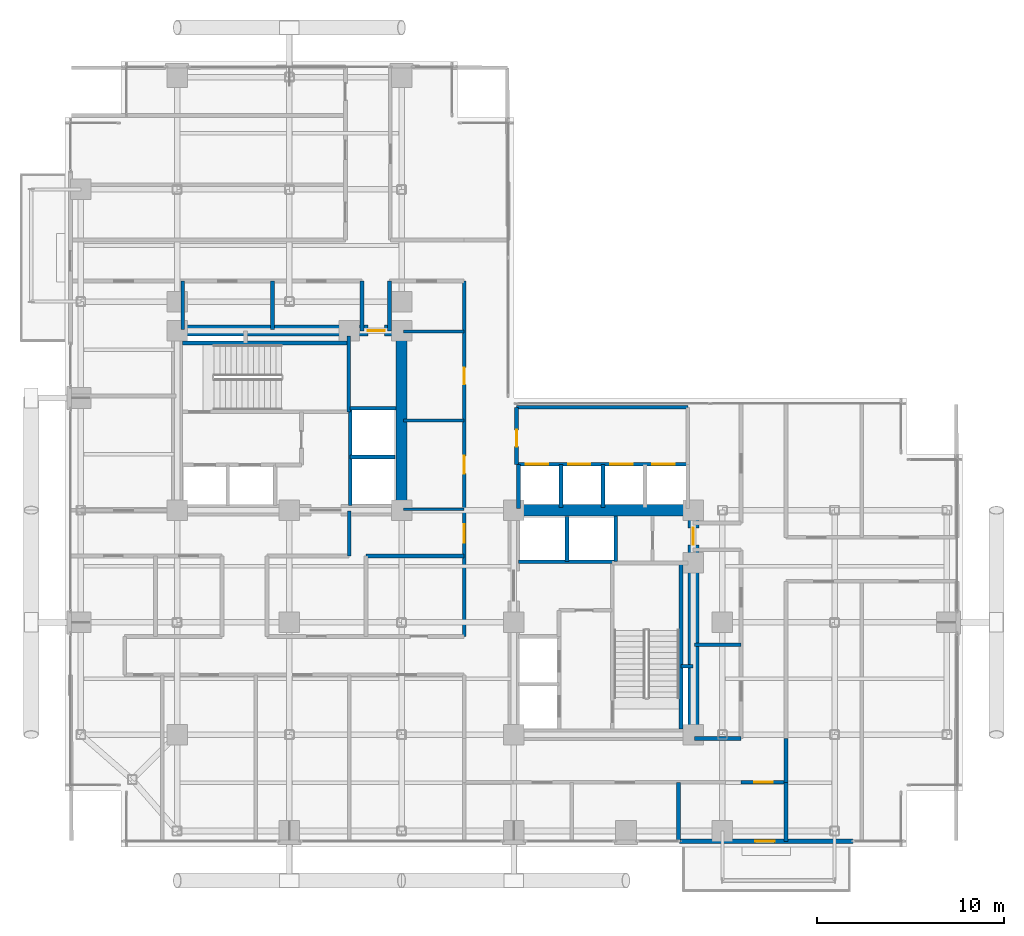
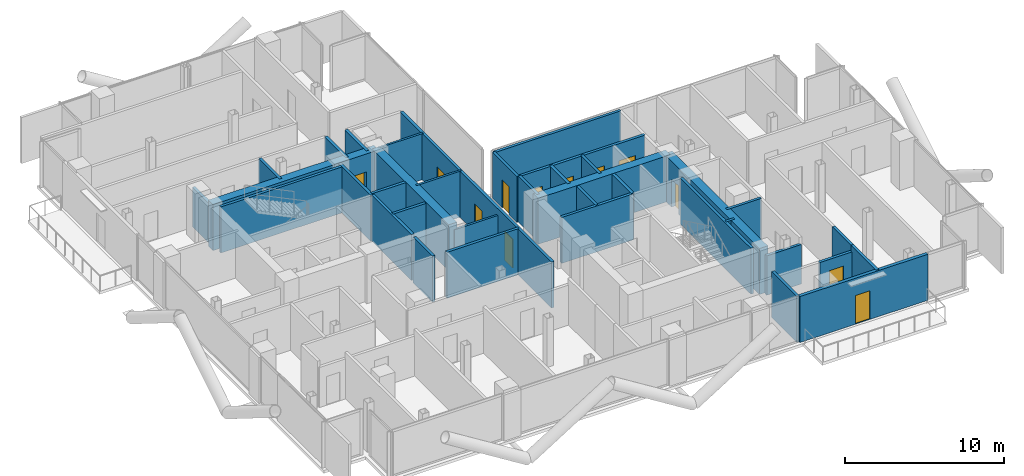
# One storey, part 23 of 28: 37 walls, 12 doors, 12 openings.
"""IFC4 building model written with IfcOpenShell, lengths in metres."""

from ifc_helpers import new_model, si_unit, direction, frame, frame_2d, origin, place, context, subcontext, project, spatial, rectangle, extrude, material, layer, layer_set, type_object, element, fill, save


model = new_model("IFC4")

# Units and contexts
model_context = context("Model", 3, precision=1e-05, world=origin(), true_north=direction((0.0, 1.0)))
body_context = subcontext(model_context, "Body", "Model", "MODEL_VIEW")
ifc_project = project(units=[si_unit("LENGTHUNIT", "METRE"), si_unit("AREAUNIT", "SQUARE_METRE"), si_unit("VOLUMEUNIT", "CUBIC_METRE"), si_unit("PLANEANGLEUNIT", "RADIAN"), si_unit("MASSUNIT", "GRAM", prefix="KILO"), si_unit("THERMODYNAMICTEMPERATUREUNIT", "KELVIN"), si_unit("POWERUNIT", "WATT")], contexts=[model_context])

# Site, building, storey
site_placement = place(None, origin())
site = spatial("IfcSite", under=ifc_project, at=site_placement, CompositionType="ELEMENT")
building_placement = place(site_placement, origin())
building = spatial("IfcBuilding", under=site, at=building_placement, Name="Svarakhadi Broadcast Tower", CompositionType="ELEMENT")
storey_placement = place(building_placement, frame((0.0, 0.0, 123.14990234375)))
storey = spatial("IfcBuildingStorey", under=building, at=storey_placement, Name="L29", CompositionType="ELEMENT", Elevation=123.14990234375)

# Walls
ifc_material_1 = material(Name="Double-Stud Acoustic Studio Partition STC-62", Category="gypsum")
ifc_layer_1 = layer(ifc_material_1, 0.199951171875)
ifc_layer_set_1 = layer_set([ifc_layer_1], Name="Double-Stud Acoustic Studio Partition STC-62")
wall_type_1 = type_object("IfcWallType", Name="Wall_Acoust_200", PredefinedType="PARTITIONING", material=ifc_layer_set_1)
wall_1_placement = place(storey_placement, frame((16.10009765625, 15.550048828125, 0.0), z_axis=(0.0, 0.0, 1.0), x_axis=(1.0, 0.0, 0.0)))
element("IfcWall", 1, at=wall_1_placement, inside=storey, type_object=wall_type_1, Name="L29 Accessible Floor Washroom WC Wall", PredefinedType="PARTITIONING", context=body_context, shape_type="SweptSolid", body=[
    extrude(rectangle(XDim=5.25, YDim=0.199951171875, at=frame_2d((2.625, 0.0))), origin(), (0.0, 0.0, 1.0), 3.525146484375),
])
for number, where, z_axis, x_axis, name in (
    (2, (32.800048828125, 0.300048828125, 0.0), (0.0, 0.0, 1.0), (0.0, 1.0, 0.0), "L29 Client Preview Briefing Room Wall"),
    (3, (38.550048828125, 0.300048828125, 0.0), (0.0, 0.0, 1.0), (0.0, 1.0, 0.0), "L29 Artisanal Espresso Bar Wall"),
):
    element("IfcWall", number, at=place(storey_placement, frame(where, z_axis=z_axis, x_axis=x_axis)), inside=storey, type_object=wall_type_1, Name=name, PredefinedType="PARTITIONING", context=body_context, shape_type="SweptSolid", body=[
        extrude(rectangle(XDim=3.14990234375, YDim=0.199951171875, at=frame_2d((1.574951171875, 0.0))), origin(), (0.0, 0.0, 1.0), 3.525146484375),
    ])
wall_2_placement = place(storey_placement, frame((6.300048828125, 27.64990234375, 0.0), z_axis=(0.0, 0.0, 1.0), x_axis=(0.0, 1.0, 0.0)))
element("IfcWall", 4, at=wall_2_placement, inside=storey, type_object=wall_type_1, Name="L29 Acoustic Dubbing Booth Wall", PredefinedType="PARTITIONING", context=body_context, shape_type="SweptSolid", body=[
    extrude(rectangle(XDim=2.60009765625, YDim=0.199951171875, at=frame_2d((1.300048828125, 0.0))), origin(), (0.0, 0.0, 1.0), 3.01708984375),
])
wall_3_placement = place(storey_placement, frame((11.10009765625, 27.64990234375, 0.0), z_axis=(0.0, 0.0, 1.0), x_axis=(0.0, 1.0, 0.0)))
element("IfcWall", 5, at=wall_3_placement, inside=storey, type_object=wall_type_1, Name="L29 Acoustic Dubbing Booth Wall", PredefinedType="PARTITIONING", context=body_context, shape_type="SweptSolid", body=[
    extrude(rectangle(XDim=2.60009765625, YDim=0.199951171875, at=frame_2d((1.300048828125, 0.0))), origin(), (0.0, 0.0, 1.0), 3.525146484375),
])
wall_4_placement = place(storey_placement, frame((33.64990234375, 5.800048828125, 0.0), z_axis=(0.0, 0.0, 1.0), x_axis=(1.0, 0.0, 0.0)))
element("IfcWall", 6, at=wall_4_placement, inside=storey, type_object=wall_type_1, Name="L29 Media Playout Monitoring Office Wall", PredefinedType="PARTITIONING", context=body_context, shape_type="SweptSolid", body=[
    extrude(rectangle(XDim=2.5, YDim=0.199951171875, at=frame_2d((1.25, 0.0))), origin(), (0.0, 0.0, 1.0), 3.01708984375),
])
wall_5_placement = place(storey_placement, frame((33.64990234375, 10.800048828125, 0.0), z_axis=(0.0, 0.0, 1.0), x_axis=(1.0, 0.0, 0.0)))
element("IfcWall", 7, at=wall_5_placement, inside=storey, type_object=wall_type_1, Name="L29 Media Playout Monitoring Office Wall", PredefinedType="PARTITIONING", context=body_context, shape_type="SweptSolid", body=[
    extrude(rectangle(XDim=2.5, YDim=0.199951171875, at=frame_2d((1.25, 0.0))), origin(), (0.0, 0.0, 1.0), 3.525146484375),
])

# Wall, opening, door
ifc_material_2 = material(Name="Concrete C40/50 (IS 456 M50)", Category="concrete")
ifc_layer_2 = layer(ifc_material_2, 0.239990234375)
ifc_layer_set_2 = layer_set([ifc_layer_2], Name="Concrete C40/50 (IS 456 M50)")
wall_type_2 = type_object("IfcWallType", Name="Wall_Ext_240", PredefinedType="SOLIDWALL", material=ifc_layer_set_2)
wall_6_placement = place(storey_placement, frame((42.14501953125, 0.300048828125, 0.0), z_axis=(0.0, 0.0, 1.0), x_axis=(-1.0, 0.0, 0.0)))
wall_6 = element("IfcWall", 8, at=wall_6_placement, inside=storey, type_object=wall_type_2, Name="L29 South Tree Balcony Spandrel Wall", PredefinedType="SOLIDWALL", context=body_context, shape_type="SweptSolid", body=[
    extrude(rectangle(XDim=9.2900390625, YDim=0.239990234375, at=frame_2d((4.64501953125, 0.0))), origin(), (0.0, 0.0, 1.0), 3.525146484375),
])
opening_1_placement = place(wall_6_placement, frame((4.199951171875, 0.0, 0.0)))
opening_1 = element("IfcOpeningElement", 9, at=opening_1_placement, cuts=wall_6, Name="Opening ED-05", PredefinedType="OPENING", context=body_context, shape_type="SweptSolid", body=[
    extrude(rectangle(XDim=1.050048828125, YDim=2.199951171875, at=frame_2d((0.52490234375, 1.10009765625))), frame((0.0, 0.1298828125, 0.0), z_axis=(0.0, -1.0, 0.0), x_axis=(1.0, 0.0, 0.0)), (0.0, 0.0, 1.0), 0.260009765625),
])
ifc_material_3 = material(Name="Anodised Bronze Aluminium AA 6063-T6", Category="aluminium")
door_type_1 = type_object("IfcDoorType", Name="Door_Ext_ED05", OperationType="SINGLE_SWING_LEFT", PredefinedType="DOOR", material=ifc_material_3)
door_1_placement = place(opening_1_placement, origin())
door_1 = element("IfcDoor", 10, at=door_1_placement, inside=storey, type_object=door_type_1, Name="L29 South Tree Balcony Door", OperationType="SINGLE_SWING_LEFT", OverallHeight=2.199951171875, OverallWidth=1.050048828125, PredefinedType="DOOR", context=body_context, shape_type="SweptSolid", body=[
    extrude(rectangle(XDim=1.050048828125, YDim=2.199951171875, at=frame_2d((0.52490234375, 1.10009765625))), frame((0.0, 0.02490234375, 0.0), z_axis=(0.0, -1.0, 0.0), x_axis=(1.0, 0.0, 0.0)), (0.0, 0.0, 1.0), 0.050048828125),
])
fill(opening_1, door_1)

# Walls
ifc_layer_3 = layer(ifc_material_2, 0.199951171875)
ifc_layer_set_3 = layer_set([ifc_layer_3], Name="Concrete C40/50 (IS 456 M50)")
wall_type_3 = type_object("IfcWallType", Name="Wall_Fire_200", PredefinedType="SOLIDWALL", material=ifc_layer_set_3)
wall_7_placement = place(storey_placement, frame((32.93994140625, 9.659912109375, 0.0), z_axis=(0.0, 0.0, 1.0), x_axis=(1.0, 0.0, 0.0)))
element("IfcWall", 11, at=wall_7_placement, inside=storey, type_object=wall_type_3, Name="L29 HV Busduct Riser Shaft North Wall", PredefinedType="SOLIDWALL", context=body_context, shape_type="SweptSolid", body=[
    extrude(rectangle(XDim=0.64013671875, YDim=0.199951171875, at=frame_2d((0.320068359375, 0.0))), origin(), (0.0, 0.0, 1.0), 3.525146484375),
])
wall_8_placement = place(storey_placement, frame((38.550048828125, 5.800048828125, 0.0), z_axis=(0.0, 0.0, 1.0), x_axis=(0.0, -1.0, 0.0)))
element("IfcWall", 12, at=wall_8_placement, inside=storey, type_object=wall_type_3, Name="L29 Zone 2/3 Corridor Wall", PredefinedType="SOLIDWALL", context=body_context, shape_type="SweptSolid", body=[
    extrude(rectangle(XDim=2.35009765625, YDim=0.199951171875, at=frame_2d((1.175048828125, 0.0))), origin(), (0.0, 0.0, 1.0), 3.525146484375),
])

# Wall, opening, door
wall_9_placement = place(storey_placement, frame((38.550048828125, 3.449951171875, 0.0), z_axis=(0.0, 0.0, 1.0), x_axis=(-1.0, 0.0, 0.0)))
wall_9 = element("IfcWall", 13, at=wall_9_placement, inside=storey, type_object=wall_type_3, Name="L29 Zone 2/3 Corridor Wall", PredefinedType="SOLIDWALL", context=body_context, shape_type="SweptSolid", body=[
    extrude(rectangle(XDim=2.400146484375, YDim=0.199951171875, at=frame_2d((1.2001953125, 0.0))), origin(), (0.0, 0.0, 1.0), 3.067138671875),
])
opening_2_placement = place(wall_9_placement, frame((0.699951171875, 0.0, 0.0)))
opening_2 = element("IfcOpeningElement", 14, at=opening_2_placement, cuts=wall_9, Name="Opening D-08", PredefinedType="OPENING", context=body_context, shape_type="SweptSolid", body=[
    extrude(rectangle(XDim=1.0, YDim=2.199951171875, at=frame_2d((0.5, 1.10009765625))), frame((0.0, 0.10986328125, 0.0), z_axis=(0.0, -1.0, 0.0), x_axis=(1.0, 0.0, 0.0)), (0.0, 0.0, 1.0), 0.219970703125),
])
ifc_material_4 = material(Name="Solid-Core Teak Veneer Acoustic Timber Leaf", Category="wood")
door_type_2 = type_object("IfcDoorType", Name="Door_Suite_D08", OperationType="SINGLE_SWING_LEFT", PredefinedType="DOOR", material=ifc_material_4)
door_2_placement = place(opening_2_placement, origin())
door_2 = element("IfcDoor", 15, at=door_2_placement, inside=storey, type_object=door_type_2, Name="L29 Artisanal Espresso Bar Door", OperationType="SINGLE_SWING_LEFT", OverallHeight=2.199951171875, OverallWidth=1.0, PredefinedType="DOOR", context=body_context, shape_type="SweptSolid", body=[
    extrude(rectangle(XDim=1.0, YDim=2.199951171875, at=frame_2d((0.5, 1.10009765625))), frame((0.0, 0.02490234375, 0.0), z_axis=(0.0, -1.0, 0.0), x_axis=(1.0, 0.0, 0.0)), (0.0, 0.0, 1.0), 0.050048828125),
])
fill(opening_2, door_2)

# Wall
wall_10_placement = place(storey_placement, frame((15.199951171875, 17.949951171875, 0.0), z_axis=(0.0, 0.0, 1.0), x_axis=(0.0, -1.0, 0.0)))
element("IfcWall", 16, at=wall_10_placement, inside=storey, type_object=wall_type_3, Name="L29 Zone 2/3 Corridor Wall", PredefinedType="SOLIDWALL", context=body_context, shape_type="SweptSolid", body=[
    extrude(rectangle(XDim=2.39990234375, YDim=0.199951171875, at=frame_2d((1.199951171875, 0.0))), origin(), (0.0, 0.0, 1.0), 3.525146484375),
])

# Wall, openings, doors
wall_11_placement = place(storey_placement, frame((21.35009765625, 11.25, 0.0), z_axis=(0.0, 0.0, 1.0), x_axis=(0.0, 1.0, 0.0)))
wall_11 = element("IfcWall", 17, at=wall_11_placement, inside=storey, type_object=wall_type_3, Name="L29 Zone 2/3 Corridor Wall", PredefinedType="SOLIDWALL", context=body_context, shape_type="SweptSolid", body=[
    extrude(rectangle(XDim=19.0, YDim=0.199951171875, at=frame_2d((9.5, 0.0))), origin(), (0.0, 0.0, 1.0), 3.525146484375),
])
opening_3_placement = place(wall_11_placement, frame((8.699951171875, 0.0, 0.0)))
opening_3 = element("IfcOpeningElement", 18, at=opening_3_placement, cuts=wall_11, Name="Opening D-07", PredefinedType="OPENING", context=body_context, shape_type="SweptSolid", body=[
    extrude(rectangle(XDim=0.949951171875, YDim=2.14990234375, at=frame_2d((0.47509765625, 1.074951171875))), frame((0.0, 0.10986328125, 0.0), z_axis=(0.0, -1.0, 0.0), x_axis=(1.0, 0.0, 0.0)), (0.0, 0.0, 1.0), 0.219970703125),
])
opening_4_placement = place(wall_11_placement, frame((13.47509765625, 0.0, 0.0)))
opening_4 = element("IfcOpeningElement", 19, at=opening_4_placement, cuts=wall_11, Name="Opening D-12", PredefinedType="OPENING", context=body_context, shape_type="SweptSolid", body=[
    extrude(rectangle(XDim=0.89990234375, YDim=2.10009765625, at=frame_2d((0.449951171875, 1.050048828125))), frame((0.0, 0.10986328125, 0.0), z_axis=(0.0, -1.0, 0.0), x_axis=(1.0, 0.0, 0.0)), (0.0, 0.0, 1.0), 0.219970703125),
])
opening_5_placement = place(wall_11_placement, frame((5.0, 0.0, 0.0)))
opening_5 = element("IfcOpeningElement", 20, at=opening_5_placement, cuts=wall_11, Name="Opening D-09", PredefinedType="OPENING", context=body_context, shape_type="SweptSolid", body=[
    extrude(rectangle(XDim=1.0, YDim=2.199951171875, at=frame_2d((0.5, 1.10009765625))), frame((0.0, 0.10986328125, 0.0), z_axis=(0.0, -1.0, 0.0), x_axis=(1.0, 0.0, 0.0)), (0.0, 0.0, 1.0), 0.219970703125),
])
door_type_3 = type_object("IfcDoorType", Name="Door_Office_D07", OperationType="SINGLE_SWING_RIGHT", PredefinedType="DOOR", material=ifc_material_4)
door_3_placement = place(opening_3_placement, origin())
door_3 = element("IfcDoor", 21, at=door_3_placement, inside=storey, type_object=door_type_3, Name="L29 Broadcast Editorial Review Office Door", OperationType="SINGLE_SWING_RIGHT", OverallHeight=2.14990234375, OverallWidth=0.949951171875, PredefinedType="DOOR", context=body_context, shape_type="SweptSolid", body=[
    extrude(rectangle(XDim=0.949951171875, YDim=2.14990234375, at=frame_2d((0.47509765625, 1.074951171875))), frame((0.0, 0.02490234375, 0.0), z_axis=(0.0, -1.0, 0.0), x_axis=(1.0, 0.0, 0.0)), (0.0, 0.0, 1.0), 0.050048828125),
])
fill(opening_3, door_3)
door_type_4 = type_object("IfcDoorType", Name="Door_Suite_D09", OperationType="SINGLE_SWING_RIGHT", PredefinedType="DOOR", material=ifc_material_4)
door_4_placement = place(opening_5_placement, origin())
door_4 = element("IfcDoor", 22, at=door_4_placement, inside=storey, type_object=door_type_4, Name="L29 Executive Review Pod Door", OperationType="SINGLE_SWING_RIGHT", OverallHeight=2.199951171875, OverallWidth=1.0, PredefinedType="DOOR", context=body_context, shape_type="SweptSolid", body=[
    extrude(rectangle(XDim=1.0, YDim=2.199951171875, at=frame_2d((0.5, 1.10009765625))), frame((0.0, 0.02490234375, 0.0), z_axis=(0.0, -1.0, 0.0), x_axis=(1.0, 0.0, 0.0)), (0.0, 0.0, 1.0), 0.050048828125),
])
fill(opening_5, door_4)
door_type_5 = type_object("IfcDoorType", Name="Door_WC_D01", OperationType="SINGLE_SWING_LEFT", PredefinedType="DOOR", material=ifc_material_4)
door_5_placement = place(opening_4_placement, origin())
door_5 = element("IfcDoor", 23, at=door_5_placement, inside=storey, type_object=door_type_5, Name="L29 Accessible Guest Washroom WC Door", OperationType="SINGLE_SWING_LEFT", OverallHeight=2.10009765625, OverallWidth=0.89990234375, PredefinedType="DOOR", context=body_context, shape_type="SweptSolid", body=[
    extrude(rectangle(XDim=0.89990234375, YDim=2.10009765625, at=frame_2d((0.449951171875, 1.050048828125))), frame((0.0, 0.02490234375, 0.0), z_axis=(0.0, -1.0, 0.0), x_axis=(1.0, 0.0, 0.0)), (0.0, 0.0, 1.0), 0.050048828125),
])
fill(opening_4, door_5)

# Walls
for number, where, z_axis, x_axis, name in (
    (24, (17.35009765625, 30.25, 0.0), (0.0, 0.0, 1.0), (0.0, -1.0, 0.0), "L29 Zone 2/3 Corridor Wall"),
    (25, (15.8798828125, 27.580078125, 0.0), (0.0, 0.0, 1.0), (0.0, 1.0, 0.0), "L29 Zone 2/3 Corridor Wall"),
):
    element("IfcWall", number, at=place(storey_placement, frame(where, z_axis=z_axis, x_axis=x_axis)), inside=storey, type_object=wall_type_3, Name=name, PredefinedType="SOLIDWALL", context=body_context, shape_type="SweptSolid", body=[
        extrude(rectangle(XDim=2.669921875, YDim=0.199951171875, at=frame_2d((1.3349609375, 0.0))), origin(), (0.0, 0.0, 1.0), 3.525146484375),
    ])
ifc_material_5 = material(Name="Autoclaved Aerated Concrete Blockwork 150 mm", Category="masonry")
ifc_layer_4 = layer(ifc_material_5, 0.14990234375)
ifc_layer_set_4 = layer_set([ifc_layer_4], Name="Autoclaved Aerated Concrete Blockwork 150 mm")
wall_type_4 = type_object("IfcWallType", Name="Wall_Part_150", PredefinedType="PARTITIONING", material=ifc_layer_set_4)
wall_12_placement = place(storey_placement, frame((18.10009765625, 18.050048828125, 0.0), z_axis=(0.0, 0.0, 1.0), x_axis=(1.0, 0.0, 0.0)))
element("IfcWall", 26, at=wall_12_placement, inside=storey, type_object=wall_type_4, Name="L29 Broadcast Editorial Review Office Wall", PredefinedType="PARTITIONING", context=body_context, shape_type="SweptSolid", body=[
    extrude(rectangle(XDim=3.25, YDim=0.14990234375, at=frame_2d((1.625, 0.0))), origin(), (0.0, 0.0, 1.0), 3.01708984375),
])
for number, where, z_axis, x_axis, name in (
    (27, (18.10009765625, 22.800048828125, 0.0), (0.0, 0.0, 1.0), (1.0, 0.0, 0.0), "L29 Broadcast Editorial Review Office Wall"),
    (28, (18.10009765625, 27.550048828125, 0.0), (0.0, 0.0, 1.0), (1.0, 0.0, 0.0), "L29 Accessible Guest Washroom WC Wall"),
):
    element("IfcWall", number, at=place(storey_placement, frame(where, z_axis=z_axis, x_axis=x_axis)), inside=storey, type_object=wall_type_4, Name=name, PredefinedType="PARTITIONING", context=body_context, shape_type="SweptSolid", body=[
        extrude(rectangle(XDim=3.25, YDim=0.14990234375, at=frame_2d((1.625, 0.0))), origin(), (0.0, 0.0, 1.0), 3.525146484375),
    ])
ifc_material_6 = material(Name="Concrete C50/60 (IS 456 M60)", Category="concrete")
ifc_layer_5 = layer(ifc_material_6, 0.199951171875)
ifc_layer_set_5 = layer_set([ifc_layer_5], Name="Concrete C50/60 (IS 456 M60)")
wall_type_5 = type_object("IfcWallType", Name="Wall_Shear_200", PredefinedType="SHEAR", material=ifc_layer_set_5)
wall_13_placement = place(storey_placement, frame((6.300048828125, 26.93994140625, 0.0), z_axis=(0.0, 0.0, 1.0), x_axis=(1.0, 0.0, 0.0)))
element("IfcWall", 29, at=wall_13_placement, inside=storey, type_object=wall_type_5, Name="L29 Stair ST-01 North RC Shaft Wall", PredefinedType="SHEAR", context=body_context, shape_type="SweptSolid", body=[
    extrude(rectangle(XDim=8.8798828125, YDim=0.199951171875, at=frame_2d((4.43994140625, 0.0))), origin(), (0.0, 0.0, 1.0), 3.525146484375),
])
wall_14_placement = place(storey_placement, frame((15.179931640625, 23.260009765625, 0.0), z_axis=(0.0, 0.0, 1.0), x_axis=(0.0, 1.0, 0.0)))
element("IfcWall", 30, at=wall_14_placement, inside=storey, type_object=wall_type_5, Name="L29 Stair ST-01 East RC Shaft Wall", PredefinedType="SHEAR", context=body_context, shape_type="SweptSolid", body=[
    extrude(rectangle(XDim=4.0400390625, YDim=0.199951171875, at=frame_2d((2.02001953125, 0.0))), origin(), (0.0, 0.0, 1.0), 3.525146484375),
])
wall_15_placement = place(storey_placement, frame((32.93994140625, 6.300048828125, 0.0), z_axis=(0.0, 0.0, 1.0), x_axis=(0.0, 1.0, 0.0)))
element("IfcWall", 31, at=wall_15_placement, inside=storey, type_object=wall_type_5, Name="L29 Stair ST-02 East RC Shaft Wall", PredefinedType="SHEAR", context=body_context, shape_type="SweptSolid", body=[
    extrude(rectangle(XDim=8.8798828125, YDim=0.199951171875, at=frame_2d((4.43994140625, 0.0))), origin(), (0.0, 0.0, 1.0), 3.525146484375),
])
wall_16_placement = place(storey_placement, frame((15.25, 18.25, 0.0), z_axis=(0.0, 0.0, 1.0), x_axis=(0.0, 1.0, 0.0)))
element("IfcWall", 32, at=wall_16_placement, inside=storey, type_object=wall_type_5, Name="L29 High-Rise Lift LF-13/14 West Shaft Wall", PredefinedType="SHEAR", context=body_context, shape_type="SweptSolid", body=[
    extrude(rectangle(XDim=5.199951171875, YDim=0.199951171875, at=frame_2d((2.60009765625, 0.0))), origin(), (0.0, 0.0, 1.0), 3.525146484375),
])
wall_17_placement = place(storey_placement, frame((15.25, 20.85009765625, 0.0), z_axis=(0.0, 0.0, 1.0), x_axis=(1.0, 0.0, 0.0)))
element("IfcWall", 33, at=wall_17_placement, inside=storey, type_object=wall_type_5, Name="L29 High-Rise Lift LF-13/14 Divider", PredefinedType="SHEAR", context=body_context, shape_type="SweptSolid", body=[
    extrude(rectangle(XDim=2.39990234375, YDim=0.199951171875, at=frame_2d((1.199951171875, 0.0))), origin(), (0.0, 0.0, 1.0), 3.525146484375),
])
wall_18_placement = place(storey_placement, frame((15.25, 23.449951171875, 0.0), z_axis=(0.0, 0.0, 1.0), x_axis=(1.0, 0.0, 0.0)))
element("IfcWall", 34, at=wall_18_placement, inside=storey, type_object=wall_type_5, Name="L29 High-Rise Lift LF-13/14 North Wall", PredefinedType="SHEAR", context=body_context, shape_type="SweptSolid", body=[
    extrude(rectangle(XDim=2.449951171875, YDim=0.199951171875, at=frame_2d((1.22509765625, 0.0))), origin(), (0.0, 0.0, 1.0), 3.525146484375),
])
wall_19_placement = place(storey_placement, frame((24.25, 15.25, 0.0), z_axis=(0.0, 0.0, 1.0), x_axis=(1.0, 0.0, 0.0)))
element("IfcWall", 35, at=wall_19_placement, inside=storey, type_object=wall_type_5, Name="L29 High-Rise Lift LF-15/16 South Shaft Wall", PredefinedType="SHEAR", context=body_context, shape_type="SweptSolid", body=[
    extrude(rectangle(XDim=5.199951171875, YDim=0.199951171875, at=frame_2d((2.60009765625, 0.0))), origin(), (0.0, 0.0, 1.0), 3.525146484375),
])
wall_20_placement = place(storey_placement, frame((26.85009765625, 15.25, 0.0), z_axis=(0.0, 0.0, 1.0), x_axis=(0.0, 1.0, 0.0)))
element("IfcWall", 36, at=wall_20_placement, inside=storey, type_object=wall_type_5, Name="L29 High-Rise Lift LF-15/16 Divider", PredefinedType="SHEAR", context=body_context, shape_type="SweptSolid", body=[
    extrude(rectangle(XDim=2.39990234375, YDim=0.199951171875, at=frame_2d((1.199951171875, 0.0))), origin(), (0.0, 0.0, 1.0), 3.525146484375),
])
wall_21_placement = place(storey_placement, frame((29.449951171875, 15.25, 0.0), z_axis=(0.0, 0.0, 1.0), x_axis=(0.0, 1.0, 0.0)))
element("IfcWall", 37, at=wall_21_placement, inside=storey, type_object=wall_type_5, Name="L29 High-Rise Lift LF-15/16 East Wall", PredefinedType="SHEAR", context=body_context, shape_type="SweptSolid", body=[
    extrude(rectangle(XDim=2.449951171875, YDim=0.199951171875, at=frame_2d((1.22509765625, 0.0))), origin(), (0.0, 0.0, 1.0), 3.525146484375),
])
wall_22_placement = place(storey_placement, frame((24.25, 18.10009765625, 0.0), z_axis=(0.0, 0.0, 1.0), x_axis=(0.0, 1.0, 0.0)))
element("IfcWall", 38, at=wall_22_placement, inside=storey, type_object=wall_type_5, Name="L29 Bank B West Shaft Wall", PredefinedType="SHEAR", context=body_context, shape_type="SweptSolid", body=[
    extrude(rectangle(XDim=2.349853515625, YDim=0.199951171875, at=frame_2d((1.1748046875, 0.0))), origin(), (0.0, 0.0, 1.0), 3.525146484375),
])

# Wall, openings, doors
wall_23_placement = place(storey_placement, frame((24.25, 20.449951171875, 0.0), z_axis=(0.0, 0.0, 1.0), x_axis=(1.0, 0.0, 0.0)))
wall_23 = element("IfcWall", 39, at=wall_23_placement, inside=storey, type_object=wall_type_5, Name="L29 Bank B North Landing Wall", PredefinedType="SHEAR", context=body_context, shape_type="SweptSolid", body=[
    extrude(rectangle(XDim=9.050048828125, YDim=0.199951171875, at=frame_2d((4.52490234375, 0.0))), origin(), (0.0, 0.0, 1.0), 3.525146484375),
])
opening_6_placement = place(wall_23_placement, frame((0.39990234375, 0.0, 0.0)))
opening_6 = element("IfcOpeningElement", 40, at=opening_6_placement, cuts=wall_23, Name="Opening LD-02", PredefinedType="OPENING", context=body_context, shape_type="SweptSolid", body=[
    extrude(rectangle(XDim=1.199951171875, YDim=2.199951171875, at=frame_2d((0.60009765625, 1.10009765625))), frame((0.0, 0.10986328125, 0.0), z_axis=(0.0, -1.0, 0.0), x_axis=(1.0, 0.0, 0.0)), (0.0, 0.0, 1.0), 0.219970703125),
])
opening_7_placement = place(wall_23_placement, frame((2.64990234375, 0.0, 0.0)))
opening_7 = element("IfcOpeningElement", 41, at=opening_7_placement, cuts=wall_23, Name="Opening LD-02", PredefinedType="OPENING", context=body_context, shape_type="SweptSolid", body=[
    extrude(rectangle(XDim=1.199951171875, YDim=2.199951171875, at=frame_2d((0.60009765625, 1.10009765625))), frame((0.0, 0.10986328125, 0.0), z_axis=(0.0, -1.0, 0.0), x_axis=(1.0, 0.0, 0.0)), (0.0, 0.0, 1.0), 0.219970703125),
])
opening_8_placement = place(wall_23_placement, frame((4.89990234375, 0.0, 0.0)))
opening_8 = element("IfcOpeningElement", 42, at=opening_8_placement, cuts=wall_23, Name="Opening LD-02", PredefinedType="OPENING", context=body_context, shape_type="SweptSolid", body=[
    extrude(rectangle(XDim=1.199951171875, YDim=2.199951171875, at=frame_2d((0.60009765625, 1.10009765625))), frame((0.0, 0.10986328125, 0.0), z_axis=(0.0, -1.0, 0.0), x_axis=(1.0, 0.0, 0.0)), (0.0, 0.0, 1.0), 0.219970703125),
])
opening_9_placement = place(wall_23_placement, frame((7.14990234375, 0.0, 0.0)))
opening_9 = element("IfcOpeningElement", 43, at=opening_9_placement, cuts=wall_23, Name="Opening LD-02", PredefinedType="OPENING", context=body_context, shape_type="SweptSolid", body=[
    extrude(rectangle(XDim=1.199951171875, YDim=2.199951171875, at=frame_2d((0.60009765625, 1.10009765625))), frame((0.0, 0.10986328125, 0.0), z_axis=(0.0, -1.0, 0.0), x_axis=(1.0, 0.0, 0.0)), (0.0, 0.0, 1.0), 0.219970703125),
])
ifc_material_7 = material(Name="Galvanised Powder-Coated Fire-Rated Steel Leaf", Category="steel")
door_type_6 = type_object("IfcDoorType", Name="Door_Lift_LD02", OperationType="SLIDING_TO_RIGHT", PredefinedType="DOOR", material=ifc_material_7)
door_6_placement = place(opening_6_placement, origin())
door_6 = element("IfcDoor", 44, at=door_6_placement, inside=storey, type_object=door_type_6, Name="L29 Mid-Rise Lift LF-09 Landing Door", OperationType="SLIDING_TO_RIGHT", OverallHeight=2.199951171875, OverallWidth=1.199951171875, PredefinedType="DOOR", context=body_context, shape_type="SweptSolid", body=[
    extrude(rectangle(XDim=1.199951171875, YDim=2.199951171875, at=frame_2d((0.60009765625, 1.10009765625))), frame((0.0, 0.02490234375, 0.0), z_axis=(0.0, -1.0, 0.0), x_axis=(1.0, 0.0, 0.0)), (0.0, 0.0, 1.0), 0.050048828125),
])
fill(opening_6, door_6)
door_7_placement = place(opening_7_placement, origin())
door_7 = element("IfcDoor", 45, at=door_7_placement, inside=storey, type_object=door_type_6, Name="L29 Mid-Rise Lift LF-10 Landing Door", OperationType="SLIDING_TO_RIGHT", OverallHeight=2.199951171875, OverallWidth=1.199951171875, PredefinedType="DOOR", context=body_context, shape_type="SweptSolid", body=[
    extrude(rectangle(XDim=1.199951171875, YDim=2.199951171875, at=frame_2d((0.60009765625, 1.10009765625))), frame((0.0, 0.02490234375, 0.0), z_axis=(0.0, -1.0, 0.0), x_axis=(1.0, 0.0, 0.0)), (0.0, 0.0, 1.0), 0.050048828125),
])
fill(opening_7, door_7)
door_8_placement = place(opening_8_placement, origin())
door_8 = element("IfcDoor", 46, at=door_8_placement, inside=storey, type_object=door_type_6, Name="L29 Mid-Rise Lift LF-11 Landing Door", OperationType="SLIDING_TO_RIGHT", OverallHeight=2.199951171875, OverallWidth=1.199951171875, PredefinedType="DOOR", context=body_context, shape_type="SweptSolid", body=[
    extrude(rectangle(XDim=1.199951171875, YDim=2.199951171875, at=frame_2d((0.60009765625, 1.10009765625))), frame((0.0, 0.02490234375, 0.0), z_axis=(0.0, -1.0, 0.0), x_axis=(1.0, 0.0, 0.0)), (0.0, 0.0, 1.0), 0.050048828125),
])
fill(opening_8, door_8)
door_9_placement = place(opening_9_placement, origin())
door_9 = element("IfcDoor", 47, at=door_9_placement, inside=storey, type_object=door_type_6, Name="L29 Mid-Rise Lift LF-12 Landing Door", OperationType="SLIDING_TO_RIGHT", OverallHeight=2.199951171875, OverallWidth=1.199951171875, PredefinedType="DOOR", context=body_context, shape_type="SweptSolid", body=[
    extrude(rectangle(XDim=1.199951171875, YDim=2.199951171875, at=frame_2d((0.60009765625, 1.10009765625))), frame((0.0, 0.02490234375, 0.0), z_axis=(0.0, -1.0, 0.0), x_axis=(1.0, 0.0, 0.0)), (0.0, 0.0, 1.0), 0.050048828125),
])
fill(opening_9, door_9)

# Walls
for number, where, z_axis, x_axis, name in (
    (48, (26.52001953125, 18.14990234375, 0.0), (0.0, 0.0, 1.0), (0.0, 1.0, 0.0), "L29 Bank B Divider"),
    (49, (28.77001953125, 18.14990234375, 0.0), (0.0, 0.0, 1.0), (0.0, 1.0, 0.0), "L29 Bank B Divider"),
):
    element("IfcWall", number, at=place(storey_placement, frame(where, z_axis=z_axis, x_axis=x_axis)), inside=storey, type_object=wall_type_5, Name=name, PredefinedType="SHEAR", context=body_context, shape_type="SweptSolid", body=[
        extrude(rectangle(XDim=2.300048828125, YDim=0.199951171875, at=frame_2d((1.14990234375, 0.0))), origin(), (0.0, 0.0, 1.0), 3.525146484375),
    ])
wall_24_placement = place(storey_placement, frame((24.14990234375, 23.5, 0.0), z_axis=(0.0, 0.0, 1.0), x_axis=(1.0, 0.0, 0.0)))
element("IfcWall", 50, at=wall_24_placement, inside=storey, type_object=wall_type_5, Name="L29 Bank B Lift Hall North Wall", PredefinedType="SHEAR", context=body_context, shape_type="SweptSolid", body=[
    extrude(rectangle(XDim=9.150146484375, YDim=0.199951171875, at=frame_2d((4.5751953125, 0.0))), origin(), (0.0, 0.0, 1.0), 3.525146484375),
])

# Wall, opening, door
wall_25_placement = place(storey_placement, frame((24.14990234375, 20.449951171875, 0.0), z_axis=(0.0, 0.0, 1.0), x_axis=(0.0, 1.0, 0.0)))
wall_25 = element("IfcWall", 51, at=wall_25_placement, inside=storey, type_object=wall_type_5, Name="L29 Bank B Lift Hall West Wall", PredefinedType="SHEAR", context=body_context, shape_type="SweptSolid", body=[
    extrude(rectangle(XDim=3.050048828125, YDim=0.199951171875, at=frame_2d((1.52490234375, 0.0))), origin(), (0.0, 0.0, 1.0), 3.525146484375),
])
opening_10_placement = place(wall_25_placement, frame((0.949951171875, 0.0, 0.0)))
opening_10 = element("IfcOpeningElement", 52, at=opening_10_placement, cuts=wall_25, Name="Opening D-03", PredefinedType="OPENING", context=body_context, shape_type="SweptSolid", body=[
    extrude(rectangle(XDim=0.89990234375, YDim=2.14990234375, at=frame_2d((0.449951171875, 1.074951171875))), frame((0.0, 0.10986328125, 0.0), z_axis=(0.0, -1.0, 0.0), x_axis=(1.0, 0.0, 0.0)), (0.0, 0.0, 1.0), 0.219970703125),
])
door_type_7 = type_object("IfcDoorType", Name="Door_Fire_D03", OperationType="SINGLE_SWING_LEFT", PredefinedType="DOOR", material=ifc_material_7)
door_10_placement = place(opening_10_placement, origin())
door_10 = element("IfcDoor", 53, at=door_10_placement, inside=storey, type_object=door_type_7, Name="L29 Mid-Rise Lift Hall West Corridor Door", OperationType="SINGLE_SWING_LEFT", OverallHeight=2.14990234375, OverallWidth=0.89990234375, PredefinedType="DOOR", context=body_context, shape_type="SweptSolid", body=[
    extrude(rectangle(XDim=0.89990234375, YDim=2.14990234375, at=frame_2d((0.449951171875, 1.074951171875))), frame((0.0, 0.02490234375, 0.0), z_axis=(0.0, -1.0, 0.0), x_axis=(1.0, 0.0, 0.0)), (0.0, 0.0, 1.0), 0.050048828125),
])
fill(opening_10, door_10)

ifc_material_8 = material(Name="Concrete C60/75 (IS 456 M70)", Category="concrete")
ifc_layer_6 = layer(ifc_material_8, 0.60009765625)
ifc_layer_set_6 = layer_set([ifc_layer_6], Name="Concrete C60/75 (IS 456 M70)")
wall_type_6 = type_object("IfcWallType", Name="Wall_Shear_600", PredefinedType="SHEAR", material=ifc_layer_set_6)
wall_26_placement = place(storey_placement, frame((6.0, 27.60009765625, 0.0), z_axis=(0.0, 0.0, 1.0), x_axis=(1.0, 0.0, 0.0)))
wall_26 = element("IfcWall", 54, at=wall_26_placement, inside=storey, type_object=wall_type_6, Name="L29 West Core North Shear Wall", PredefinedType="SHEAR", context=body_context, shape_type="SweptSolid", body=[
    extrude(rectangle(XDim=12.0, YDim=0.60009765625, at=frame_2d((6.0, 0.0))), origin(), (0.0, 0.0, 1.0), 3.525146484375),
])
opening_11_placement = place(wall_26_placement, frame((10.199951171875, 0.0, 0.0)))
opening_11 = element("IfcOpeningElement", 55, at=opening_11_placement, cuts=wall_26, Name="Opening D-03", PredefinedType="OPENING", context=body_context, shape_type="SweptSolid", body=[
    extrude(rectangle(XDim=0.89990234375, YDim=2.14990234375, at=frame_2d((0.449951171875, 1.074951171875))), frame((0.0, 0.31005859375, 0.0), z_axis=(0.0, -1.0, 0.0), x_axis=(1.0, 0.0, 0.0)), (0.0, 0.0, 1.0), 0.6201171875),
])
door_11_placement = place(opening_11_placement, origin())
door_11 = element("IfcDoor", 56, at=door_11_placement, inside=storey, type_object=door_type_7, Name="L29 Core Meter Cupboard Door", OperationType="SINGLE_SWING_LEFT", OverallHeight=2.14990234375, OverallWidth=0.89990234375, PredefinedType="DOOR", context=body_context, shape_type="SweptSolid", body=[
    extrude(rectangle(XDim=0.89990234375, YDim=2.14990234375, at=frame_2d((0.449951171875, 1.074951171875))), frame((0.0, 0.02490234375, 0.0), z_axis=(0.0, -1.0, 0.0), x_axis=(1.0, 0.0, 0.0)), (0.0, 0.0, 1.0), 0.050048828125),
])
fill(opening_11, door_11)

# Walls
for number, where, z_axis, x_axis, name in (
    (57, (18.0, 18.0, 0.0), (0.0, 0.0, 1.0), (0.0, 1.0, 0.0), "L29 West Core East Shear Wall"),
    (58, (24.0, 18.0, 0.0), (0.0, 0.0, 1.0), (1.0, 0.0, 0.0), "L29 East Core North Shear Wall"),
):
    element("IfcWall", number, at=place(storey_placement, frame(where, z_axis=z_axis, x_axis=x_axis)), inside=storey, type_object=wall_type_6, Name=name, PredefinedType="SHEAR", context=body_context, shape_type="SweptSolid", body=[
        extrude(rectangle(XDim=9.60009765625, YDim=0.60009765625, at=frame_2d((4.800048828125, 0.0))), origin(), (0.0, 0.0, 1.0), 3.525146484375),
    ])

# Wall, opening, door
wall_27_placement = place(storey_placement, frame((33.60009765625, 6.0, 0.0), z_axis=(0.0, 0.0, 1.0), x_axis=(0.0, 1.0, 0.0)))
wall_27 = element("IfcWall", 59, at=wall_27_placement, inside=storey, type_object=wall_type_6, Name="L29 East Core East Shear Wall", PredefinedType="SHEAR", context=body_context, shape_type="SweptSolid", body=[
    extrude(rectangle(XDim=12.0, YDim=0.60009765625, at=frame_2d((6.0, 0.0))), origin(), (0.0, 0.0, 1.0), 3.525146484375),
])
opening_12_placement = place(wall_27_placement, frame((10.14990234375, 0.0, 0.0)))
opening_12 = element("IfcOpeningElement", 60, at=opening_12_placement, cuts=wall_27, Name="Opening D-03", PredefinedType="OPENING", context=body_context, shape_type="SweptSolid", body=[
    extrude(rectangle(XDim=0.89990234375, YDim=2.14990234375, at=frame_2d((0.449951171875, 1.074951171875))), frame((0.0, 0.31005859375, 0.0), z_axis=(0.0, -1.0, 0.0), x_axis=(1.0, 0.0, 0.0)), (0.0, 0.0, 1.0), 0.6201171875),
])
door_12_placement = place(opening_12_placement, origin())
door_12 = element("IfcDoor", 61, at=door_12_placement, inside=storey, type_object=door_type_7, Name="L29 Core Outer Service Store Door", OperationType="SINGLE_SWING_LEFT", OverallHeight=2.14990234375, OverallWidth=0.89990234375, PredefinedType="DOOR", context=body_context, shape_type="SweptSolid", body=[
    extrude(rectangle(XDim=0.89990234375, YDim=2.14990234375, at=frame_2d((0.449951171875, 1.074951171875))), frame((0.0, 0.02490234375, 0.0), z_axis=(0.0, -1.0, 0.0), x_axis=(1.0, 0.0, 0.0)), (0.0, 0.0, 1.0), 0.050048828125),
])
fill(opening_12, door_12)

save(model, "model.ifc")
